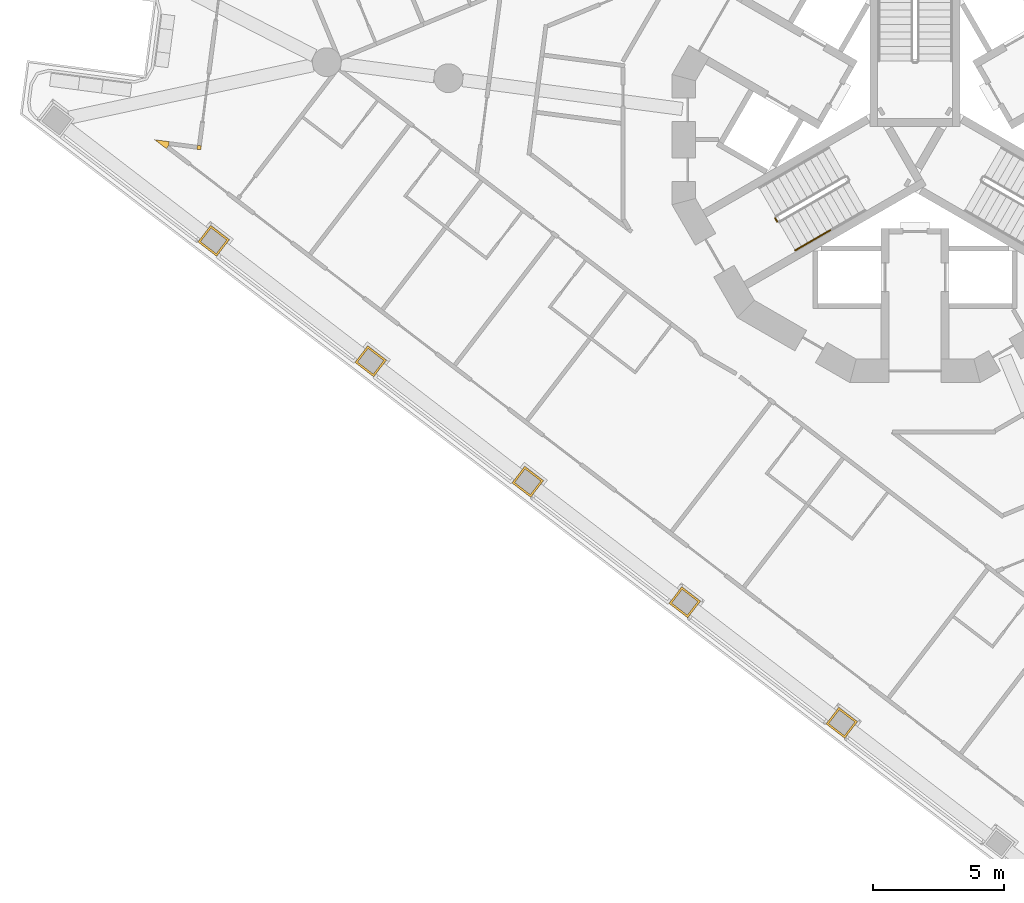
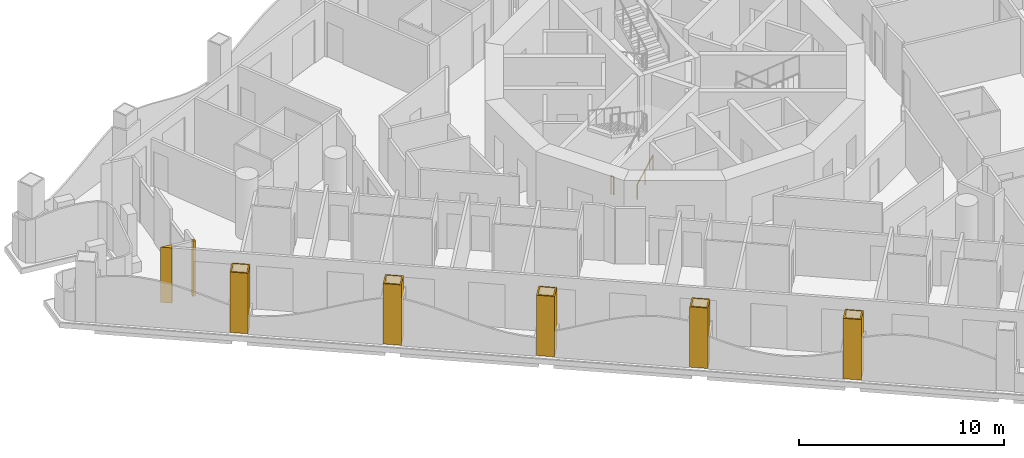
# One storey, part 12 of 18: 7 coverings, 2 railings.
"""IFC4 building model written with IfcOpenShell, lengths in metres."""

from ifc_helpers import new_model, si_unit, direction, frame, origin, origin_2d, place, context, subcontext, project, spatial, polyline, circle, outline, extrude, material, layer, layer_set, type_object, element, save


model = new_model("IFC4")

# Units and contexts
model_context = context("Model", 3, precision=1e-05, world=origin(), true_north=direction((0.0, 1.0)))
body_context = subcontext(model_context, "Body", "Model", "MODEL_VIEW")
ifc_project = project(units=[si_unit("LENGTHUNIT", "METRE"), si_unit("AREAUNIT", "SQUARE_METRE"), si_unit("VOLUMEUNIT", "CUBIC_METRE"), si_unit("PLANEANGLEUNIT", "RADIAN"), si_unit("MASSUNIT", "GRAM", prefix="KILO")], contexts=[model_context])

# Site, building, storey
site_placement = place(None, origin())
site = spatial("IfcSite", under=ifc_project, at=site_placement, CompositionType="ELEMENT")
building_placement = place(site_placement, origin())
building = spatial("IfcBuilding", under=site, at=building_placement, Name="Trine Commons Tower", CompositionType="ELEMENT")
storey_placement = place(building_placement, frame((0.0, 0.0, 142.199951171875)))
storey = spatial("IfcBuildingStorey", under=building, at=storey_placement, Name="L36", CompositionType="ELEMENT", Elevation=142.199951171875)

# Coverings
ifc_material_1 = material(Name="Aluminium-framed insulated wall panel", Category="aluminium")
ifc_layer_1 = layer(ifc_material_1, 0.14990234375)
ifc_layer_set_1 = layer_set([ifc_layer_1], Name="Aluminium-framed insulated wall panel")
covering_type_1 = type_object("IfcCoveringType", Name="Glazing corner post, aluminium", PredefinedType="CLADDING", material=ifc_layer_set_1)
covering_1_placement = place(storey_placement, origin())
element("IfcCovering", 1, at=covering_1_placement, inside=storey, type_object=covering_type_1, Name="Glazing corner post 4-01", PredefinedType="CLADDING", context=body_context, shape_type="SweptSolid", body=[
    extrude(outline(polyline([(51.43359375, 62.15576171875), (51.52490234375, 62.27490234375), (51.54443359375, 62.423583984375), (50.989501953125, 62.49658203125), (51.43359375, 62.15576171875)])), origin(), (0.0, 0.0, 1.0), 3.300048828125),
])
covering_2_placement = place(storey_placement, origin())
element("IfcCovering", 2, at=covering_2_placement, inside=storey, type_object=covering_type_1, Name="Glazing corner post 4-02", PredefinedType="CLADDING", context=body_context, shape_type="SweptSolid", body=[
    extrude(outline(polyline([(52.601318359375, 62.133056640625), (52.75, 62.113525390625), (52.76953125, 62.26220703125), (52.620849609375, 62.28173828125), (52.601318359375, 62.133056640625)])), origin(), (0.0, 0.0, 1.0), 3.300048828125),
])
ifc_material_2 = material(Name="Limestone, honed", Category="masonry")
ifc_layer_2 = layer(ifc_material_2, 0.074951171875)
ifc_layer_set_2 = layer_set([ifc_layer_2], Name="Limestone, honed")
covering_type_2 = type_object("IfcCoveringType", Name="Limestone column cladding 75", PredefinedType="CLADDING", material=ifc_layer_set_2)
covering_3_placement = place(storey_placement, origin())
element("IfcCovering", 3, at=covering_3_placement, inside=storey, type_object=covering_type_2, Name="Limestone pier cladding 4-03", PredefinedType="CLADDING", context=body_context, shape_type="SweptSolid", body=[
    extrude(outline(polyline([(77.092041015625, 40.84130859375), (76.60498046875, 40.206787109375), (77.319091796875, 39.65869140625), (77.805908203125, 40.29345703125), (77.092041015625, 40.84130859375)]), holes=[polyline([(77.105712890625, 40.736083984375), (76.710205078125, 40.220458984375), (77.30517578125, 39.763916015625), (77.700927734375, 40.27978515625), (77.105712890625, 40.736083984375)])]), origin(), (0.0, 0.0, 1.0), 3.60009765625),
])
covering_4_placement = place(storey_placement, origin())
element("IfcCovering", 4, at=covering_4_placement, inside=storey, type_object=covering_type_2, Name="Limestone pier cladding 4-04", PredefinedType="CLADDING", context=body_context, shape_type="SweptSolid", body=[
    extrude(outline(polyline([(71.1005859375, 45.438720703125), (70.61376953125, 44.803955078125), (71.32763671875, 44.256103515625), (71.814697265625, 44.890869140625), (71.1005859375, 45.438720703125)]), holes=[polyline([(71.114501953125, 45.33349609375), (70.71875, 44.81787109375), (71.31396484375, 44.361328125), (71.709716796875, 44.876953125), (71.114501953125, 45.33349609375)])]), origin(), (0.0, 0.0, 1.0), 3.60009765625),
])
covering_5_placement = place(storey_placement, origin())
element("IfcCovering", 5, at=covering_5_placement, inside=storey, type_object=covering_type_2, Name="Limestone pier cladding 4-05", PredefinedType="CLADDING", context=body_context, shape_type="SweptSolid", body=[
    extrude(outline(polyline([(65.109375, 50.035888671875), (64.622314453125, 49.4013671875), (65.336181640625, 48.853515625), (65.8232421875, 49.488037109375), (65.109375, 50.035888671875)]), holes=[polyline([(65.123046875, 49.930908203125), (64.727294921875, 49.4150390625), (65.322509765625, 48.95849609375), (65.71826171875, 49.474365234375), (65.123046875, 49.930908203125)])]), origin(), (0.0, 0.0, 1.0), 3.60009765625),
])
covering_6_placement = place(storey_placement, origin())
element("IfcCovering", 6, at=covering_6_placement, inside=storey, type_object=covering_type_2, Name="Limestone pier cladding 4-06", PredefinedType="CLADDING", context=body_context, shape_type="SweptSolid", body=[
    extrude(outline(polyline([(59.117919921875, 54.63330078125), (58.631103515625, 53.998779296875), (59.344970703125, 53.45068359375), (59.83203125, 54.08544921875), (59.117919921875, 54.63330078125)]), holes=[polyline([(59.1318359375, 54.5283203125), (58.736083984375, 54.012451171875), (59.331298828125, 53.555908203125), (59.726806640625, 54.07177734375), (59.1318359375, 54.5283203125)])]), origin(), (0.0, 0.0, 1.0), 3.60009765625),
])
covering_7_placement = place(storey_placement, origin())
element("IfcCovering", 7, at=covering_7_placement, inside=storey, type_object=covering_type_2, Name="Limestone pier cladding 4-07", PredefinedType="CLADDING", context=body_context, shape_type="SweptSolid", body=[
    extrude(outline(polyline([(53.126708984375, 59.230712890625), (52.6396484375, 58.595947265625), (53.353515625, 58.048095703125), (53.840576171875, 58.682861328125), (53.126708984375, 59.230712890625)]), holes=[polyline([(53.140380859375, 59.12548828125), (52.74462890625, 58.60986328125), (53.33984375, 58.1533203125), (53.735595703125, 58.6689453125), (53.140380859375, 59.12548828125)])]), origin(), (0.0, 0.0, 1.0), 3.60009765625),
])

# Railings
ifc_material_3 = material(Name="Stainless steel balustrade", Category="steel")
railing_type_1 = type_object("IfcRailingType", Name="Stair guard, steel balustrade 1100", PredefinedType="GUARDRAIL", material=ifc_material_3)
railing_1_placement = place(storey_placement, frame((74.73681640625, 59.374755859375, 0.0)))
element("IfcRailing", 8, at=railing_1_placement, inside=storey, type_object=railing_type_1, Name="L36 ST2B stair guard 4", PredefinedType="GUARDRAIL", context=body_context, shape_type="SweptSolid", body=[
    extrude(circle(Radius=0.02392578125, at=origin_2d()), frame((0.0, 0.0, 1.076171875), z_axis=(-0.499816412211, 0.866131372301, 0.0), x_axis=(-0.866131372301, -0.499816412211, 0.0)), (0.0, 0.0, 1.0), 0.14990234375),
    extrude(circle(Radius=0.02099609375, at=origin_2d()), origin(), (0.0, 0.0, 1.0), 1.052001953125),
    extrude(circle(Radius=0.02099609375, at=origin_2d()), frame((-0.074951171875, 0.1298828125, 0.0)), (0.0, 0.0, 1.0), 1.052001953125),
])
ifc_material_4 = material(Name="Stainless steel handrail", Category="steel")
railing_type_2 = type_object("IfcRailingType", Name="Stair handrail, steel 900", PredefinedType="HANDRAIL", material=ifc_material_4)
railing_2_placement = place(storey_placement, frame((75.43017578125, 58.27392578125, 0.150146484375)))
element("IfcRailing", 9, at=railing_2_placement, inside=storey, type_object=railing_type_2, Name="L36 ST2B stair handrail 1", PredefinedType="HANDRAIL", context=body_context, shape_type="SweptSolid", body=[
    extrude(circle(Radius=0.02099609375, at=origin_2d()), frame((0.0, 0.0, 0.87890625), z_axis=(0.76340495495, 0.440743040072, 0.472184759798), x_axis=(-0.499992328818, 0.866029832698, 0.0)), (0.0, 0.0, 1.0), 1.7470703125),
    extrude(circle(Radius=0.01513671875, at=origin_2d()), origin(), (0.0, 0.0, 1.0), 0.85791015625),
    extrude(circle(Radius=0.01513671875, at=origin_2d()), frame((0.6669921875, 0.385009765625, 0.41259765625)), (0.0, 0.0, 1.0), 0.85791015625),
    extrude(circle(Radius=0.01513671875, at=origin_2d()), frame((1.333740234375, 0.77001953125, 0.824951171875)), (0.0, 0.0, 1.0), 0.85791015625),
])

save(model, "model.ifc")
